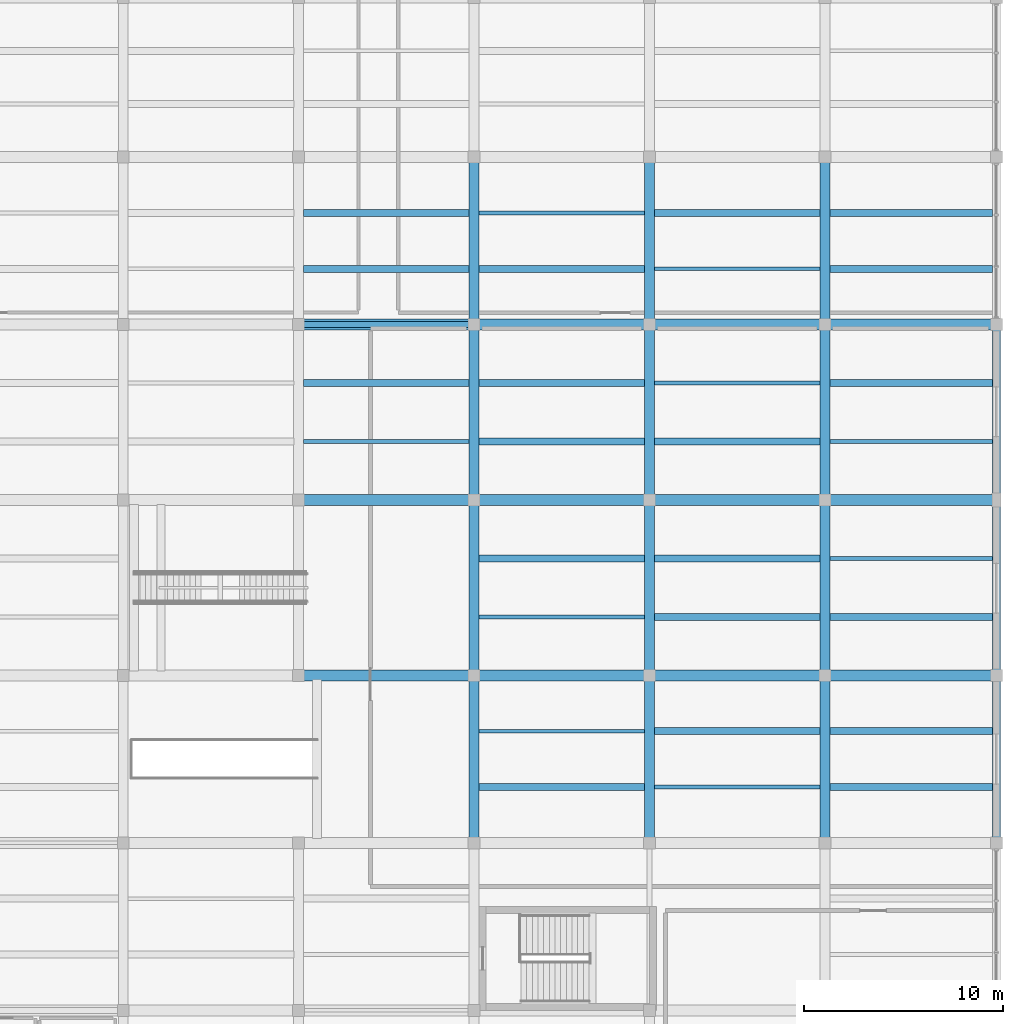
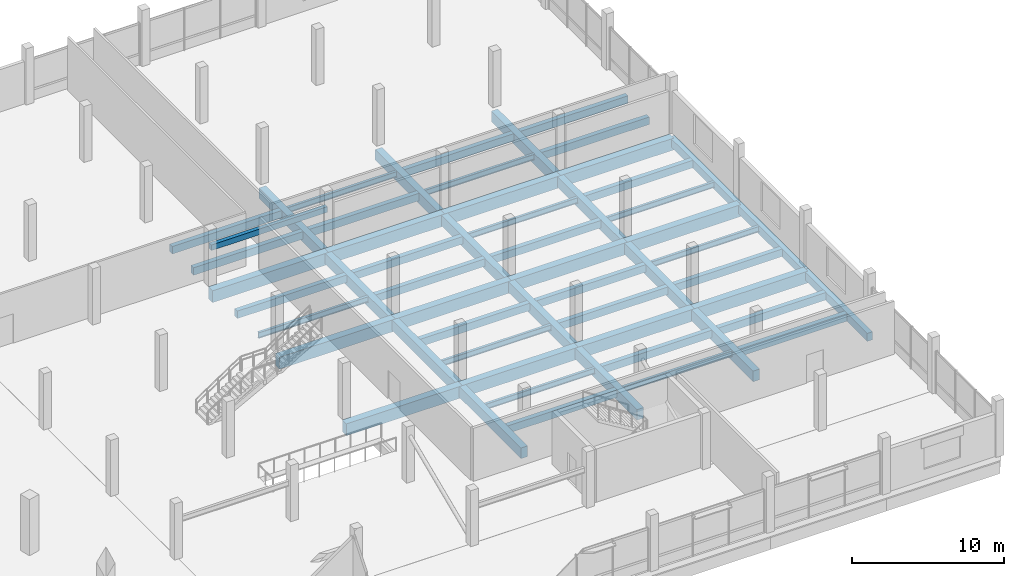
# One storey, part 53 of 77: 56 beams.
"""IFC4 building model written with IfcOpenShell, lengths in metres."""

from ifc_helpers import new_model, si_unit, direction, frame, origin, origin_2d, place, context, subcontext, project, spatial, rectangle, i_section, extrude, material, material_profile, profile_set, type_object, element, save


model = new_model("IFC4")

# Units and contexts
model_context = context("Model", 3, precision=1e-05, world=origin(), true_north=direction((0.0, 1.0)))
body_context = subcontext(model_context, "Body", "Model", "MODEL_VIEW")
ifc_project = project(units=[si_unit("LENGTHUNIT", "METRE"), si_unit("AREAUNIT", "SQUARE_METRE"), si_unit("VOLUMEUNIT", "CUBIC_METRE"), si_unit("PLANEANGLEUNIT", "RADIAN"), si_unit("MASSUNIT", "GRAM", prefix="KILO")], contexts=[model_context])

# Site, building, storey
site_placement = place(None, origin())
site = spatial("IfcSite", under=ifc_project, at=site_placement, CompositionType="ELEMENT")
building_placement = place(site_placement, origin())
building = spatial("IfcBuilding", under=site, at=building_placement, Name="Meriwether Solvik Hall", CompositionType="ELEMENT")
storey_placement = place(building_placement, frame((0.0, 0.0, 9.89990234375)))
storey = spatial("IfcBuildingStorey", under=building, at=storey_placement, Name="L02", CompositionType="ELEMENT", Elevation=9.89990234375)

# Beams
ifc_material_1 = material(Name="Concrete C40/50", Category="concrete")
ifc_material_profile_1 = material_profile(ifc_material_1, rectangle(XDim=0.300048828125, YDim=0.449951171875, at=origin_2d()), Name="RCB-300X450")
ifc_profile_set_1 = profile_set([ifc_material_profile_1], Name="Concrete C40/50")
beam_type_1 = type_object("IfcBeamType", Name="BM-RC-300X450", PredefinedType="LINTEL", material=ifc_profile_set_1)
beam_1_placement = place(storey_placement, frame((131.800048828125, 92.800048828125, 2.925048828125), z_axis=(1.0, 0.0, 0.0), x_axis=(0.0, 1.0, 0.0)))
element("IfcBeam", 1, at=beam_1_placement, inside=storey, type_object=beam_type_1, Name="Galleria Portal Lintel K:15-16 (L02)", PredefinedType="LINTEL", context=body_context, shape_type="SweptSolid", body=[
    extrude(rectangle(XDim=0.300048828125, YDim=0.449951171875, at=origin_2d()), origin(), (0.0, 0.0, 1.0), 8.800048828125),
])
ifc_material_2 = material(Name="Concrete C40/50", Category="concrete")
ifc_material_profile_2 = material_profile(ifc_material_2, rectangle(XDim=0.35009765625, YDim=0.60009765625, at=origin_2d()), Name="RCB-350X600")
ifc_profile_set_2 = profile_set([ifc_material_profile_2], Name="Concrete C40/50")
beam_type_2 = type_object("IfcBeamType", Name="BM-RC-350X600", PredefinedType="JOIST", material=ifc_profile_set_2)
for number, where, z_axis, x_axis, name in (
    (2, (132.044921875, 89.86669921875, -0.75), (1.0, 0.0, 0.0), (0.0, 1.0, 0.0), "Secondary Floor Joist 15/J_J2 (L02)"),
    (3, (132.044921875, 95.60009765625, -0.75), (1.0, 0.0, 0.0), (0.0, 1.0, 0.0), "Secondary Floor Joist 15/K_J1 (L02)"),
    (4, (132.044921875, 98.39990234375, -0.75), (1.0, 0.0, 0.0), (0.0, 1.0, 0.0), "Secondary Floor Joist 15/K_J2 (L02)"),
    (5, (140.844970703125, 69.60009765625, -0.75), (1.0, 0.0, 0.0), (0.0, 1.0, 0.0), "Secondary Floor Joist 16/H_J1 (L02)"),
    (6, (140.844970703125, 81.066650390625, -0.75), (1.0, 0.0, 0.0), (0.0, 1.0, 0.0), "Secondary Floor Joist 16/I_J2 (L02)"),
    (7, (140.844970703125, 86.933349609375, -0.75), (1.0, 0.0, 0.0), (0.0, 1.0, 0.0), "Secondary Floor Joist 16/J_J1 (L02)"),
    (8, (140.844970703125, 89.86669921875, -0.75), (1.0, 0.0, 0.0), (0.0, 1.0, 0.0), "Secondary Floor Joist 16/J_J2 (L02)"),
    (9, (140.844970703125, 95.60009765625, -0.75), (1.0, 0.0, 0.0), (0.0, 1.0, 0.0), "Secondary Floor Joist 16/K_J1 (L02)"),
    (10, (149.64501953125, 72.39990234375, -0.75), (1.0, 0.0, 0.0), (0.0, 1.0, 0.0), "Secondary Floor Joist 17/H_J2 (L02)"),
    (11, (149.64501953125, 78.13330078125, -0.75), (1.0, 0.0, 0.0), (0.0, 1.0, 0.0), "Secondary Floor Joist 17/I_J1 (L02)"),
    (12, (149.64501953125, 81.066650390625, -0.75), (1.0, 0.0, 0.0), (0.0, 1.0, 0.0), "Secondary Floor Joist 17/I_J2 (L02)"),
    (13, (149.64501953125, 86.933349609375, -0.75), (1.0, 0.0, 0.0), (0.0, 1.0, 0.0), "Secondary Floor Joist 17/J_J1 (L02)"),
    (14, (149.64501953125, 98.39990234375, -0.75), (1.0, 0.0, 0.0), (0.0, 1.0, 0.0), "Secondary Floor Joist 17/K_J2 (L02)"),
):
    element("IfcBeam", number, at=place(storey_placement, frame(where, z_axis=z_axis, x_axis=x_axis)), inside=storey, type_object=beam_type_2, Name=name, PredefinedType="JOIST", context=body_context, shape_type="SweptSolid", body=[
        extrude(rectangle(XDim=0.35009765625, YDim=0.60009765625, at=origin_2d()), origin(), (0.0, 0.0, 1.0), 8.31005859375),
    ])
for number, where, z_axis, x_axis, name in (
    (15, (158.445068359375, 69.60009765625, -0.75), (1.0, 0.0, 0.0), (0.0, 1.0, 0.0), "Secondary Floor Joist 18/H_J1 (L02)"),
    (16, (158.445068359375, 72.39990234375, -0.75), (1.0, 0.0, 0.0), (0.0, 1.0, 0.0), "Secondary Floor Joist 18/H_J2 (L02)"),
    (17, (158.445068359375, 78.13330078125, -0.75), (1.0, 0.0, 0.0), (0.0, 1.0, 0.0), "Secondary Floor Joist 18/I_J1 (L02)"),
    (18, (158.445068359375, 89.86669921875, -0.75), (1.0, 0.0, 0.0), (0.0, 1.0, 0.0), "Secondary Floor Joist 18/J_J2 (L02)"),
    (19, (158.445068359375, 95.60009765625, -0.75), (1.0, 0.0, 0.0), (0.0, 1.0, 0.0), "Secondary Floor Joist 18/K_J1 (L02)"),
    (20, (158.445068359375, 98.39990234375, -0.75), (1.0, 0.0, 0.0), (0.0, 1.0, 0.0), "Secondary Floor Joist 18/K_J2 (L02)"),
):
    element("IfcBeam", number, at=place(storey_placement, frame(where, z_axis=z_axis, x_axis=x_axis)), inside=storey, type_object=beam_type_2, Name=name, PredefinedType="JOIST", context=body_context, shape_type="SweptSolid", body=[
        extrude(rectangle(XDim=0.35009765625, YDim=0.60009765625, at=origin_2d()), origin(), (0.0, 0.0, 1.0), 8.159912109375),
    ])
ifc_material_3 = material(Name="Concrete C40/50", Category="concrete")
ifc_material_profile_3 = material_profile(ifc_material_3, rectangle(XDim=0.39990234375, YDim=0.64990234375, at=origin_2d()), Name="RCB-400X650")
ifc_profile_set_3 = profile_set([ifc_material_profile_3], Name="Concrete C40/50")
beam_type_3 = type_object("IfcBeamType", Name="BM-RC-400X650", PredefinedType="SPANDREL", material=ifc_profile_set_3)
beam_2_placement = place(storey_placement, frame((166.800048828125, 66.800048828125, -0.77490234375), z_axis=(0.0, 1.0, 0.0), x_axis=(-1.0, 0.0, 0.0)))
element("IfcBeam", 21, at=beam_2_placement, inside=storey, type_object=beam_type_3, Name="Podium Girder 19:H-I (L02)", PredefinedType="SPANDREL", context=body_context, shape_type="SweptSolid", body=[
    extrude(rectangle(XDim=0.39990234375, YDim=0.64990234375, at=origin_2d()), origin(), (0.0, 0.0, 1.0), 8.39990234375),
])
for number, where, z_axis, x_axis, name in (
    (22, (166.800048828125, 75.199951171875, -0.77490234375), (0.0, 1.0, 0.0), (-1.0, 0.0, 0.0), "Podium Girder 19:I-J (L02)"),
    (23, (166.800048828125, 84.0, -0.77490234375), (0.0, 1.0, 0.0), (-1.0, 0.0, 0.0), "Podium Girder 19:J-K (L02)"),
):
    element("IfcBeam", number, at=place(storey_placement, frame(where, z_axis=z_axis, x_axis=x_axis)), inside=storey, type_object=beam_type_3, Name=name, PredefinedType="SPANDREL", context=body_context, shape_type="SweptSolid", body=[
        extrude(rectangle(XDim=0.39990234375, YDim=0.64990234375, at=origin_2d()), origin(), (0.0, 0.0, 1.0), 8.800048828125),
    ])
ifc_material_4 = material(Name="Concrete C40/50", Category="concrete")
ifc_material_profile_4 = material_profile(ifc_material_4, rectangle(XDim=0.5, YDim=0.85009765625, at=origin_2d()), Name="RCB-500X850")
ifc_profile_set_4 = profile_set([ifc_material_profile_4], Name="Concrete C40/50")
beam_type_4 = type_object("IfcBeamType", Name="BM-RC-500X850", PredefinedType="BEAM", material=ifc_profile_set_4)
beam_3_placement = place(storey_placement, frame((140.60009765625, 66.800048828125, -0.875), z_axis=(0.0, 1.0, 0.0), x_axis=(-1.0, 0.0, 0.0)))
element("IfcBeam", 24, at=beam_3_placement, inside=storey, type_object=beam_type_4, Name="Podium Girder 16:H-I (L02)", PredefinedType="BEAM", context=body_context, shape_type="SweptSolid", body=[
    extrude(rectangle(XDim=0.5, YDim=0.85009765625, at=origin_2d()), origin(), (0.0, 0.0, 1.0), 8.39990234375),
])
for number, where, z_axis, x_axis, name in (
    (25, (140.60009765625, 75.199951171875, -0.875), (0.0, 1.0, 0.0), (-1.0, 0.0, 0.0), "Podium Girder 16:I-J (L02)"),
    (26, (140.60009765625, 84.0, -0.875), (0.0, 1.0, 0.0), (-1.0, 0.0, 0.0), "Podium Girder 16:J-K (L02)"),
):
    element("IfcBeam", number, at=place(storey_placement, frame(where, z_axis=z_axis, x_axis=x_axis)), inside=storey, type_object=beam_type_4, Name=name, PredefinedType="BEAM", context=body_context, shape_type="SweptSolid", body=[
        extrude(rectangle(XDim=0.5, YDim=0.85009765625, at=origin_2d()), origin(), (0.0, 0.0, 1.0), 8.800048828125),
    ])
for number, where, z_axis, x_axis, name in (
    (27, (140.60009765625, 92.800048828125, -0.875), (0.0, 1.0, 0.0), (-1.0, 0.0, 0.0), "Podium Girder 16:K-L (L02)"),
    (28, (149.39990234375, 66.800048828125, -0.875), (0.0, 1.0, 0.0), (-1.0, 0.0, 0.0), "Podium Girder 17:H-I (L02)"),
):
    element("IfcBeam", number, at=place(storey_placement, frame(where, z_axis=z_axis, x_axis=x_axis)), inside=storey, type_object=beam_type_4, Name=name, PredefinedType="BEAM", context=body_context, shape_type="SweptSolid", body=[
        extrude(rectangle(XDim=0.5, YDim=0.85009765625, at=origin_2d()), origin(), (0.0, 0.0, 1.0), 8.39990234375),
    ])
for number, where, z_axis, x_axis, name in (
    (29, (149.39990234375, 75.199951171875, -0.875), (0.0, 1.0, 0.0), (-1.0, 0.0, 0.0), "Podium Girder 17:I-J (L02)"),
    (30, (149.39990234375, 84.0, -0.875), (0.0, 1.0, 0.0), (-1.0, 0.0, 0.0), "Podium Girder 17:J-K (L02)"),
):
    element("IfcBeam", number, at=place(storey_placement, frame(where, z_axis=z_axis, x_axis=x_axis)), inside=storey, type_object=beam_type_4, Name=name, PredefinedType="BEAM", context=body_context, shape_type="SweptSolid", body=[
        extrude(rectangle(XDim=0.5, YDim=0.85009765625, at=origin_2d()), origin(), (0.0, 0.0, 1.0), 8.800048828125),
    ])
for number, where, z_axis, x_axis, name in (
    (31, (149.39990234375, 92.800048828125, -0.875), (0.0, 1.0, 0.0), (-1.0, 0.0, 0.0), "Podium Girder 17:K-L (L02)"),
    (32, (158.199951171875, 66.800048828125, -0.875), (0.0, 1.0, 0.0), (-1.0, 0.0, 0.0), "Podium Girder 18:H-I (L02)"),
):
    element("IfcBeam", number, at=place(storey_placement, frame(where, z_axis=z_axis, x_axis=x_axis)), inside=storey, type_object=beam_type_4, Name=name, PredefinedType="BEAM", context=body_context, shape_type="SweptSolid", body=[
        extrude(rectangle(XDim=0.5, YDim=0.85009765625, at=origin_2d()), origin(), (0.0, 0.0, 1.0), 8.39990234375),
    ])
for number, where, z_axis, x_axis, name in (
    (33, (158.199951171875, 75.199951171875, -0.875), (0.0, 1.0, 0.0), (-1.0, 0.0, 0.0), "Podium Girder 18:I-J (L02)"),
    (34, (158.199951171875, 84.0, -0.875), (0.0, 1.0, 0.0), (-1.0, 0.0, 0.0), "Podium Girder 18:J-K (L02)"),
):
    element("IfcBeam", number, at=place(storey_placement, frame(where, z_axis=z_axis, x_axis=x_axis)), inside=storey, type_object=beam_type_4, Name=name, PredefinedType="BEAM", context=body_context, shape_type="SweptSolid", body=[
        extrude(rectangle(XDim=0.5, YDim=0.85009765625, at=origin_2d()), origin(), (0.0, 0.0, 1.0), 8.800048828125),
    ])
beam_4_placement = place(storey_placement, frame((158.199951171875, 92.800048828125, -0.875), z_axis=(0.0, 1.0, 0.0), x_axis=(-1.0, 0.0, 0.0)))
element("IfcBeam", 35, at=beam_4_placement, inside=storey, type_object=beam_type_4, Name="Podium Girder 18:K-L (L02)", PredefinedType="BEAM", context=body_context, shape_type="SweptSolid", body=[
    extrude(rectangle(XDim=0.5, YDim=0.85009765625, at=origin_2d()), origin(), (0.0, 0.0, 1.0), 8.39990234375),
])
ifc_material_5 = material(Name="Concrete C40/50", Category="concrete")
ifc_material_profile_5 = material_profile(ifc_material_5, rectangle(XDim=0.550048828125, YDim=0.949951171875, at=origin_2d()), Name="RCB-550X950")
ifc_profile_set_5 = profile_set([ifc_material_profile_5], Name="Concrete C40/50")
beam_type_5 = type_object("IfcBeamType", Name="BM-RC-550X950", PredefinedType="BEAM", material=ifc_profile_set_5)
beam_5_placement = place(storey_placement, frame((131.800048828125, 75.199951171875, -0.9248046875), z_axis=(1.0, 0.0, 0.0), x_axis=(0.0, 1.0, 0.0)))
element("IfcBeam", 36, at=beam_5_placement, inside=storey, type_object=beam_type_5, Name="Podium Girder I:15-16 (L02)", PredefinedType="BEAM", context=body_context, shape_type="SweptSolid", body=[
    extrude(rectangle(XDim=0.550048828125, YDim=0.949951171875, at=origin_2d()), origin(), (0.0, 0.0, 1.0), 8.800048828125),
])
beam_6_placement = place(storey_placement, frame((140.60009765625, 75.199951171875, -0.9248046875), z_axis=(1.0, 0.0, 0.0), x_axis=(0.0, 1.0, 0.0)))
element("IfcBeam", 37, at=beam_6_placement, inside=storey, type_object=beam_type_5, Name="Podium Girder I:16-17 (L02)", PredefinedType="BEAM", context=body_context, shape_type="SweptSolid", body=[
    extrude(rectangle(XDim=0.550048828125, YDim=0.949951171875, at=origin_2d()), origin(), (0.0, 0.0, 1.0), 8.7998046875),
])
beam_7_placement = place(storey_placement, frame((149.39990234375, 75.199951171875, -0.9248046875), z_axis=(1.0, 0.0, 0.0), x_axis=(0.0, 1.0, 0.0)))
element("IfcBeam", 38, at=beam_7_placement, inside=storey, type_object=beam_type_5, Name="Podium Girder I:17-18 (L02)", PredefinedType="BEAM", context=body_context, shape_type="SweptSolid", body=[
    extrude(rectangle(XDim=0.550048828125, YDim=0.949951171875, at=origin_2d()), origin(), (0.0, 0.0, 1.0), 8.800048828125),
])
beam_8_placement = place(storey_placement, frame((158.199951171875, 75.199951171875, -0.9248046875), z_axis=(1.0, 0.0, 0.0), x_axis=(0.0, 1.0, 0.0)))
element("IfcBeam", 39, at=beam_8_placement, inside=storey, type_object=beam_type_5, Name="Podium Girder I:18-19 (L02)", PredefinedType="BEAM", context=body_context, shape_type="SweptSolid", body=[
    extrude(rectangle(XDim=0.550048828125, YDim=0.949951171875, at=origin_2d()), origin(), (0.0, 0.0, 1.0), 8.60009765625),
])
beam_9_placement = place(storey_placement, frame((131.800048828125, 84.0, -0.9248046875), z_axis=(1.0, 0.0, 0.0), x_axis=(0.0, 1.0, 0.0)))
element("IfcBeam", 40, at=beam_9_placement, inside=storey, type_object=beam_type_5, Name="Podium Girder J:15-16 (L02)", PredefinedType="BEAM", context=body_context, shape_type="SweptSolid", body=[
    extrude(rectangle(XDim=0.550048828125, YDim=0.949951171875, at=origin_2d()), origin(), (0.0, 0.0, 1.0), 8.800048828125),
])
beam_10_placement = place(storey_placement, frame((140.60009765625, 84.0, -0.9248046875), z_axis=(1.0, 0.0, 0.0), x_axis=(0.0, 1.0, 0.0)))
element("IfcBeam", 41, at=beam_10_placement, inside=storey, type_object=beam_type_5, Name="Podium Girder J:16-17 (L02)", PredefinedType="BEAM", context=body_context, shape_type="SweptSolid", body=[
    extrude(rectangle(XDim=0.550048828125, YDim=0.949951171875, at=origin_2d()), origin(), (0.0, 0.0, 1.0), 8.7998046875),
])
beam_11_placement = place(storey_placement, frame((149.39990234375, 84.0, -0.9248046875), z_axis=(1.0, 0.0, 0.0), x_axis=(0.0, 1.0, 0.0)))
element("IfcBeam", 42, at=beam_11_placement, inside=storey, type_object=beam_type_5, Name="Podium Girder J:17-18 (L02)", PredefinedType="BEAM", context=body_context, shape_type="SweptSolid", body=[
    extrude(rectangle(XDim=0.550048828125, YDim=0.949951171875, at=origin_2d()), origin(), (0.0, 0.0, 1.0), 8.800048828125),
])
beam_12_placement = place(storey_placement, frame((158.199951171875, 84.0, -0.9248046875), z_axis=(1.0, 0.0, 0.0), x_axis=(0.0, 1.0, 0.0)))
element("IfcBeam", 43, at=beam_12_placement, inside=storey, type_object=beam_type_5, Name="Podium Girder J:18-19 (L02)", PredefinedType="BEAM", context=body_context, shape_type="SweptSolid", body=[
    extrude(rectangle(XDim=0.550048828125, YDim=0.949951171875, at=origin_2d()), origin(), (0.0, 0.0, 1.0), 8.60009765625),
])
beam_13_placement = place(storey_placement, frame((131.800048828125, 92.800048828125, -0.9248046875), z_axis=(1.0, 0.0, 0.0), x_axis=(0.0, 1.0, 0.0)))
element("IfcBeam", 44, at=beam_13_placement, inside=storey, type_object=beam_type_5, Name="Podium Girder K:15-16 (L02)", PredefinedType="BEAM", context=body_context, shape_type="SweptSolid", body=[
    extrude(rectangle(XDim=0.550048828125, YDim=0.949951171875, at=origin_2d()), origin(), (0.0, 0.0, 1.0), 8.800048828125),
])
beam_14_placement = place(storey_placement, frame((140.60009765625, 92.800048828125, -0.9248046875), z_axis=(1.0, 0.0, 0.0), x_axis=(0.0, 1.0, 0.0)))
element("IfcBeam", 45, at=beam_14_placement, inside=storey, type_object=beam_type_5, Name="Podium Girder K:16-17 (L02)", PredefinedType="BEAM", context=body_context, shape_type="SweptSolid", body=[
    extrude(rectangle(XDim=0.550048828125, YDim=0.949951171875, at=origin_2d()), origin(), (0.0, 0.0, 1.0), 8.7998046875),
])
beam_15_placement = place(storey_placement, frame((149.39990234375, 92.800048828125, -0.9248046875), z_axis=(1.0, 0.0, 0.0), x_axis=(0.0, 1.0, 0.0)))
element("IfcBeam", 46, at=beam_15_placement, inside=storey, type_object=beam_type_5, Name="Podium Girder K:17-18 (L02)", PredefinedType="BEAM", context=body_context, shape_type="SweptSolid", body=[
    extrude(rectangle(XDim=0.550048828125, YDim=0.949951171875, at=origin_2d()), origin(), (0.0, 0.0, 1.0), 8.800048828125),
])
beam_16_placement = place(storey_placement, frame((158.199951171875, 92.800048828125, -0.9248046875), z_axis=(1.0, 0.0, 0.0), x_axis=(0.0, 1.0, 0.0)))
element("IfcBeam", 47, at=beam_16_placement, inside=storey, type_object=beam_type_5, Name="Podium Girder K:18-19 (L02)", PredefinedType="BEAM", context=body_context, shape_type="SweptSolid", body=[
    extrude(rectangle(XDim=0.550048828125, YDim=0.949951171875, at=origin_2d()), origin(), (0.0, 0.0, 1.0), 8.60009765625),
])
ifc_material_6 = material(Name="Steel A992 Grade 50", Category="steel")
ifc_material_profile_6 = material_profile(ifc_material_6, i_section(OverallWidth=0.19091796875, OverallDepth=0.45703125, WebThickness=0.009033203125, FlangeThickness=0.014404296875, at=origin_2d()), Name="W18X50")
ifc_profile_set_6 = profile_set([ifc_material_profile_6], Name="Steel A992 Grade 50")
beam_type_6 = type_object("IfcBeamType", Name="BM-STL-W18X50", PredefinedType="JOIST", material=ifc_profile_set_6)
for number, where, z_axis, x_axis, name in (
    (48, (132.044921875, 86.933349609375, -0.678466796875), (1.0, 0.0, 0.0), (0.0, 1.0, 0.0), "Secondary Floor Joist 15/J_J1 (L02)"),
    (49, (140.844970703125, 72.39990234375, -0.678466796875), (1.0, 0.0, 0.0), (0.0, 1.0, 0.0), "Secondary Floor Joist 16/H_J2 (L02)"),
    (50, (140.844970703125, 78.13330078125, -0.678466796875), (1.0, 0.0, 0.0), (0.0, 1.0, 0.0), "Secondary Floor Joist 16/I_J1 (L02)"),
    (51, (140.844970703125, 98.39990234375, -0.678466796875), (1.0, 0.0, 0.0), (0.0, 1.0, 0.0), "Secondary Floor Joist 16/K_J2 (L02)"),
    (52, (149.64501953125, 69.60009765625, -0.678466796875), (1.0, 0.0, 0.0), (0.0, 1.0, 0.0), "Secondary Floor Joist 17/H_J1 (L02)"),
    (53, (149.64501953125, 89.86669921875, -0.678466796875), (1.0, 0.0, 0.0), (0.0, 1.0, 0.0), "Secondary Floor Joist 17/J_J2 (L02)"),
    (54, (149.64501953125, 95.60009765625, -0.678466796875), (1.0, 0.0, 0.0), (0.0, 1.0, 0.0), "Secondary Floor Joist 17/K_J1 (L02)"),
):
    element("IfcBeam", number, at=place(storey_placement, frame(where, z_axis=z_axis, x_axis=x_axis)), inside=storey, type_object=beam_type_6, Name=name, PredefinedType="JOIST", context=body_context, shape_type="SweptSolid", body=[
        extrude(i_section(OverallWidth=0.19091796875, OverallDepth=0.45703125, WebThickness=0.009033203125, FlangeThickness=0.014404296875, at=origin_2d()), origin(), (0.0, 0.0, 1.0), 8.31005859375),
    ])
for number, where, z_axis, x_axis, name in (
    (55, (158.445068359375, 81.066650390625, -0.678466796875), (1.0, 0.0, 0.0), (0.0, 1.0, 0.0), "Secondary Floor Joist 18/I_J2 (L02)"),
    (56, (158.445068359375, 86.933349609375, -0.678466796875), (1.0, 0.0, 0.0), (0.0, 1.0, 0.0), "Secondary Floor Joist 18/J_J1 (L02)"),
):
    element("IfcBeam", number, at=place(storey_placement, frame(where, z_axis=z_axis, x_axis=x_axis)), inside=storey, type_object=beam_type_6, Name=name, PredefinedType="JOIST", context=body_context, shape_type="SweptSolid", body=[
        extrude(i_section(OverallWidth=0.19091796875, OverallDepth=0.45703125, WebThickness=0.009033203125, FlangeThickness=0.014404296875, at=origin_2d()), origin(), (0.0, 0.0, 1.0), 8.159912109375),
    ])

save(model, "model.ifc")
